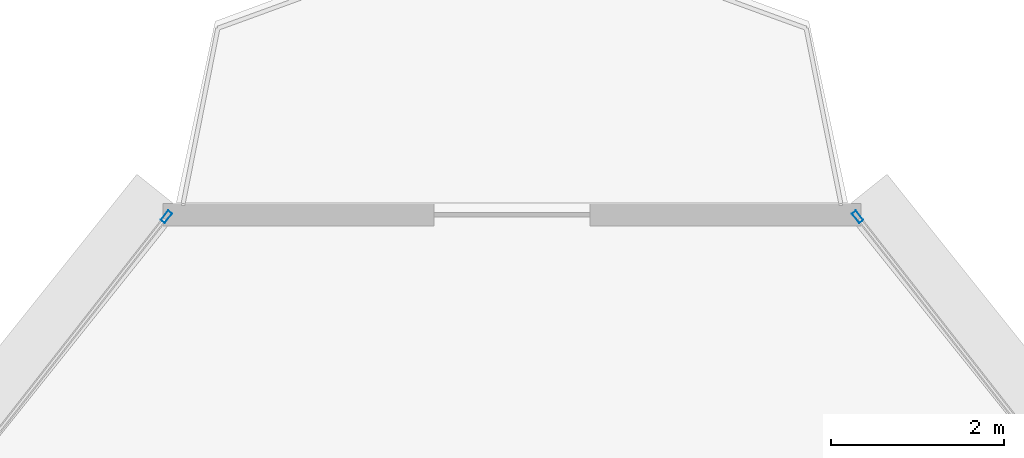
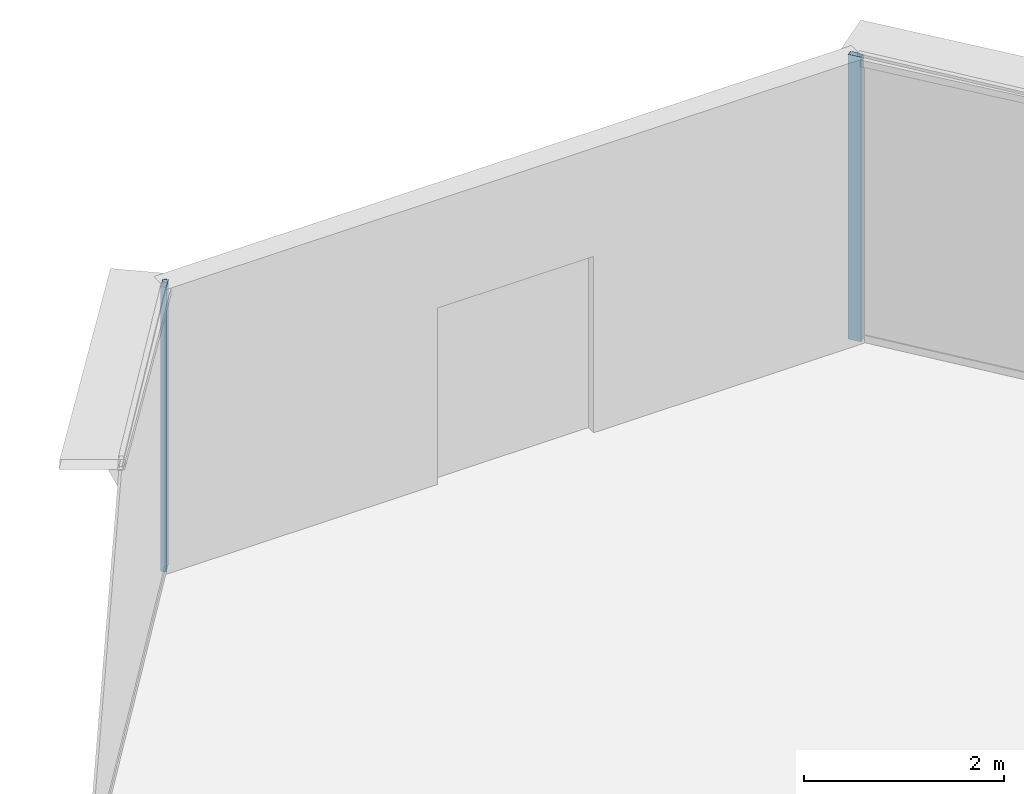
# One storey, part 24 of 34: 2 members, 2 elements without a shape of their own.
"""IFC4 building model written with IfcOpenShell, lengths in metres."""

from ifc_helpers import new_model, si_unit, direction, frame, origin, origin_2d, place, context, subcontext, project, spatial, hollow_rectangle, extrude, source, transform, mapped, material, layer, layer_set, material_profile, profile_set, type_object, element, aggregate, save


model = new_model("IFC4")

# Units and contexts
model_context = context("Model", 3, precision=1e-05, world=origin(), true_north=direction((0.0, 1.0)))
body_context = subcontext(model_context, "Body", "Model", "MODEL_VIEW")
ifc_project = project(units=[si_unit("LENGTHUNIT", "METRE"), si_unit("AREAUNIT", "SQUARE_METRE"), si_unit("VOLUMEUNIT", "CUBIC_METRE"), si_unit("PLANEANGLEUNIT", "RADIAN"), si_unit("MASSUNIT", "GRAM", prefix="KILO"), si_unit("THERMODYNAMICTEMPERATUREUNIT", "KELVIN"), si_unit("POWERUNIT", "WATT")], contexts=[model_context])

# Site, building, storey
site_placement = place(None, origin())
site = spatial("IfcSite", under=ifc_project, at=site_placement, CompositionType="ELEMENT")
building_placement = place(site_placement, origin())
building = spatial("IfcBuilding", under=site, at=building_placement, Name="Yunzhuo Pagoda Commons", CompositionType="ELEMENT")
storey_placement = place(building_placement, frame((0.0, 0.0, 233.340087890625)))
storey = spatial("IfcBuildingStorey", under=building, at=storey_placement, Name="L58", CompositionType="ELEMENT", Elevation=233.340087890625)

# Curtain wall, member
ifc_material = material(Name="Anodized aluminium 6063-T6", Category="aluminium")
ifc_layer = layer(ifc_material, 0.139892578125)
ifc_layer_set = layer_set([ifc_layer], Name="Anodized aluminium 6063-T6")
curtain_wall_type = type_object("IfcCurtainWallType", Name="CW-HI High-Zone Ribbon Curtain Wall", PredefinedType="NOTDEFINED", material=ifc_layer_set)
curtain_wall_1_placement = place(storey_placement, origin())
curtain_wall_1 = element("IfcCurtainWall", 1, at=curtain_wall_1_placement, inside=storey, type_object=curtain_wall_type, Name="L58 curtain wall CW-L58-F2B5", PredefinedType="NOTDEFINED")
ifc_material_profile = material_profile(ifc_material, hollow_rectangle(XDim=0.06005859375, YDim=0.139892578125, WallThickness=0.00341796875, at=origin_2d()), Name="Anodized aluminium 6063-T6")
ifc_profile_set = profile_set([ifc_material_profile], Name="Anodized aluminium 6063-T6")
member_type = type_object("IfcMemberType", Name="CW-HI-M Mullion RHS 140x60x3.5", PredefinedType="MULLION", material=ifc_profile_set)
shared_shape = source(origin(), body_context, "Body", "SweptSolid", [
    extrude(hollow_rectangle(XDim=0.06005859375, YDim=0.139892578125, WallThickness=0.00341796875, at=origin_2d()), origin(), (0.0, 0.0, 1.0), 3.469970703125),
])
member_1_placement = place(storey_placement, frame((51.984375, 80.7783203125, 0.0), z_axis=(0.0, 0.0, 1.0), x_axis=(-0.787639445288, -0.616136433127, 0.0)))
member_1 = element("IfcMember", 2, at=member_1_placement, type_object=member_type, Name="CW mullion 2", PredefinedType="MULLION", context=body_context, shape_type="MappedRepresentation", body=[
    mapped(shared_shape, transform((0.0, 0.0, 0.0), scale=1.0)),
])
aggregate(curtain_wall_1, [member_1])

curtain_wall_2_placement = place(storey_placement, origin())
curtain_wall_2 = element("IfcCurtainWall", 3, at=curtain_wall_2_placement, inside=storey, type_object=curtain_wall_type, Name="L58 curtain wall CW-L58-F3B1", PredefinedType="NOTDEFINED")
member_2_placement = place(storey_placement, frame((44.015625, 80.7783203125, 0.0), z_axis=(0.0, 0.0, 1.0), x_axis=(0.787639445288, -0.616136433127, 0.0)))
member_2 = element("IfcMember", 4, at=member_2_placement, type_object=member_type, Name="CW mullion 1", PredefinedType="MULLION", context=body_context, shape_type="MappedRepresentation", body=[
    mapped(shared_shape, transform((0.0, 0.0, 0.0), scale=1.0)),
])
aggregate(curtain_wall_2, [member_2])

save(model, "model.ifc")
